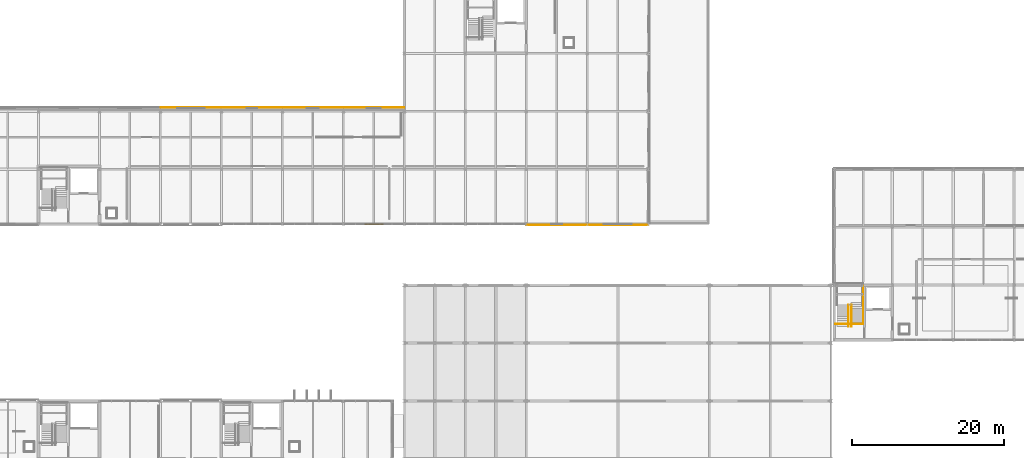
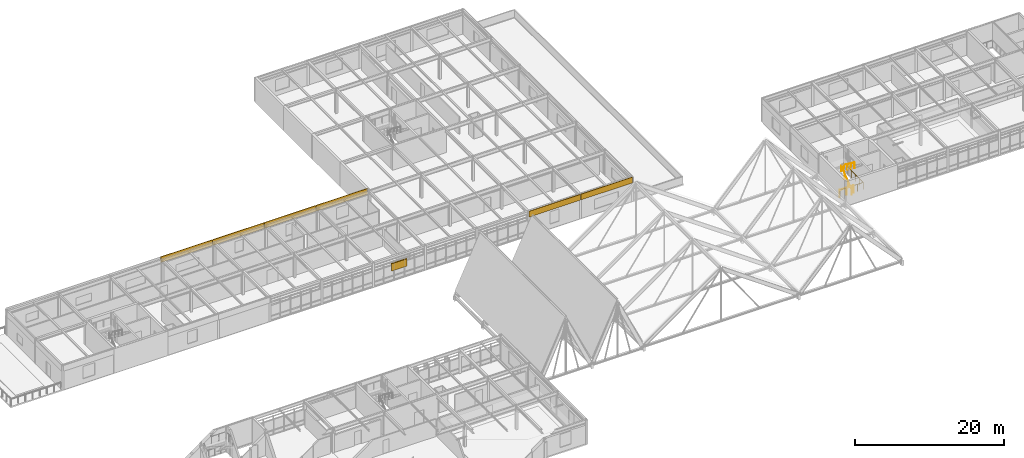
# One storey, part 82 of 85: 6 coverings, 4 railings, 1 shading device.
"""IFC4 building model written with IfcOpenShell, lengths in metres."""

from ifc_helpers import new_model, si_unit, direction, frame, origin, origin_2d, place, context, subcontext, project, spatial, rectangle, circle, extrude, material, layer, layer_set, type_object, element, save


model = new_model("IFC4")

# Units and contexts
model_context = context("Model", 3, precision=1e-05, world=origin(), true_north=direction((0.0, 1.0)))
body_context = subcontext(model_context, "Body", "Model", "MODEL_VIEW")
ifc_project = project(units=[si_unit("LENGTHUNIT", "METRE"), si_unit("AREAUNIT", "SQUARE_METRE"), si_unit("VOLUMEUNIT", "CUBIC_METRE"), si_unit("PLANEANGLEUNIT", "RADIAN"), si_unit("MASSUNIT", "GRAM", prefix="KILO")], contexts=[model_context])

# Site, building, storey
site_placement = place(None, origin())
site = spatial("IfcSite", under=ifc_project, at=site_placement, CompositionType="ELEMENT")
building_placement = place(site_placement, origin())
building = spatial("IfcBuilding", under=site, at=building_placement, Name="Zulena Civic Courthouse", CompositionType="ELEMENT")
storey_placement = place(building_placement, frame((0.0, 0.0, 25.199951171875)))
storey = spatial("IfcBuildingStorey", under=building, at=storey_placement, Name="L05", CompositionType="ELEMENT", Elevation=25.199951171875)

# Shading device
ifc_material_1 = material(Name="Bronze anodised thermally broken aluminium AA6063-T6", Category="aluminium")
shading_device_type = type_object("IfcShadingDeviceType", Name="AcousticStormLouvre_1", PredefinedType="JALOUSIE", material=ifc_material_1)
shading_device_placement = place(storey_placement, frame((64.0, 46.0, 1.60009765625), z_axis=(0.0, 0.0, 1.0), x_axis=(1.0, 0.0, 0.0)))
element("IfcShadingDevice", 1, at=shading_device_placement, inside=storey, type_object=shading_device_type, Name="louvre:V5:L05", PredefinedType="JALOUSIE", context=body_context, shape_type="SweptSolid", body=[
    extrude(rectangle(XDim=2.39990234375, YDim=0.14990234375, at=origin_2d()), origin(), (0.0, 0.0, 1.0), 1.199951171875),
])

# Railings
ifc_material_2 = material(Name="Brushed architectural steel ASTM A36", Category="steel")
railing_type_1 = type_object("IfcRailingType", Name="InteriorGuardrail_1150", PredefinedType="GUARDRAIL", material=ifc_material_2)
railing_1_placement = place(storey_placement, frame((128.199951171875, 38.219970703125, 0.0)))
element("IfcRailing", 2, at=railing_1_placement, inside=storey, type_object=railing_type_1, Name="gr:topwell:K3A:L04", PredefinedType="GUARDRAIL", context=body_context, shape_type="SweptSolid", body=[
    extrude(circle(Radius=0.02392578125, at=origin_2d()), frame((0.0, -0.00390625, 1.1259765625), z_axis=(0.0, -1.0, 0.0), x_axis=(1.0, 0.0, 0.0)), (0.0, 0.0, 1.0), 5.33203125),
    extrude(circle(Radius=0.02392578125, at=origin_2d()), frame((-0.00390625, -5.340087890625, 1.1259765625), z_axis=(-1.0, 0.0, 0.0), x_axis=(0.0, -1.0, 0.0)), (0.0, 0.0, 1.0), 3.61181640625),
    extrude(circle(Radius=0.02099609375, at=origin_2d()), origin(), (0.0, 0.0, 1.0), 1.097900390625),
    extrude(circle(Radius=0.02099609375, at=origin_2d()), frame((0.0, -1.068115234375, 0.0)), (0.0, 0.0, 1.0), 1.097900390625),
    extrude(circle(Radius=0.02099609375, at=origin_2d()), frame((0.0, -2.135986328125, 0.0)), (0.0, 0.0, 1.0), 1.097900390625),
    extrude(circle(Radius=0.02099609375, at=origin_2d()), frame((0.0, -3.2041015625, 0.0)), (0.0, 0.0, 1.0), 1.097900390625),
    extrude(circle(Radius=0.02099609375, at=origin_2d()), frame((0.0, -4.27197265625, 0.0)), (0.0, 0.0, 1.0), 1.097900390625),
    extrude(circle(Radius=0.02099609375, at=origin_2d()), frame((0.0, -5.340087890625, 0.0)), (0.0, 0.0, 1.0), 1.097900390625),
    extrude(circle(Radius=0.02099609375, at=origin_2d()), frame((-0.905029296875, -5.340087890625, 0.0)), (0.0, 0.0, 1.0), 1.097900390625),
    extrude(circle(Radius=0.02099609375, at=origin_2d()), frame((-1.81005859375, -5.340087890625, 0.0)), (0.0, 0.0, 1.0), 1.097900390625),
    extrude(circle(Radius=0.02099609375, at=origin_2d()), frame((-2.71484375, -5.340087890625, 0.0)), (0.0, 0.0, 1.0), 1.097900390625),
    extrude(circle(Radius=0.02099609375, at=origin_2d()), frame((-3.619873046875, -5.340087890625, 0.0)), (0.0, 0.0, 1.0), 1.097900390625),
])
railing_2_placement = place(storey_placement, frame((124.580078125, 32.89990234375, 0.0)))
element("IfcRailing", 3, at=railing_2_placement, inside=storey, type_object=railing_type_1, Name="gr:wells:K3A:L05", PredefinedType="GUARDRAIL", context=body_context, shape_type="SweptSolid", body=[
    extrude(circle(Radius=0.02392578125, at=origin_2d()), frame((0.00390625, 0.0, 1.1259765625), z_axis=(1.0, 0.0, 0.0), x_axis=(0.0, 1.0, 0.0)), (0.0, 0.0, 1.0), 2.11181640625),
    extrude(circle(Radius=0.02099609375, at=origin_2d()), origin(), (0.0, 0.0, 1.0), 1.097900390625),
    extrude(circle(Radius=0.02099609375, at=origin_2d()), frame((1.06005859375, 0.0, 0.0)), (0.0, 0.0, 1.0), 1.097900390625),
    extrude(circle(Radius=0.02099609375, at=origin_2d()), frame((2.119873046875, 0.0, 0.0)), (0.0, 0.0, 1.0), 1.097900390625),
])

# Coverings
ifc_material_3 = material(Name="White architectural precast concrete C40/50", Category="concrete")
ifc_layer = layer(ifc_material_3, 0.0849609375)
ifc_layer_set = layer_set([ifc_layer], Name="White architectural precast concrete C40/50")
covering_type = type_object("IfcCoveringType", Name="PrecastSpandrelCladding_85", PredefinedType="CLADDING", material=ifc_layer_set)
for number, where, z_axis, x_axis, name in (
    (4, (40.0, 61.320068359375, 3.06005859375), (0.0, 0.0, 1.0), (1.0, 0.0, 0.0), "clad:sp:V5:L05:1:3"),
    (5, (48.0, 61.320068359375, 3.06005859375), (0.0, 0.0, 1.0), (1.0, 0.0, 0.0), "clad:sp:V5:L05:1:4"),
    (6, (56.0, 61.320068359375, 3.06005859375), (0.0, 0.0, 1.0), (1.0, 0.0, 0.0), "clad:sp:V5:L05:1:5"),
    (7, (64.0, 61.320068359375, 3.06005859375), (0.0, 0.0, 1.0), (1.0, 0.0, 0.0), "clad:sp:V5:L05:1:6"),
    (8, (96.0, 45.8798828125, 3.06005859375), (0.0, 0.0, 1.0), (-1.0, 0.0, 0.0), "clad:sp:V5:L05:5:0"),
    (9, (88.0, 45.8798828125, 3.06005859375), (0.0, 0.0, 1.0), (-1.0, 0.0, 0.0), "clad:sp:V5:L05:5:1"),
):
    element("IfcCovering", number, at=place(storey_placement, frame(where, z_axis=z_axis, x_axis=x_axis)), inside=storey, type_object=covering_type, Name=name, PredefinedType="CLADDING", context=body_context, shape_type="SweptSolid", body=[
        extrude(rectangle(XDim=7.9599609375, YDim=0.0849609375, at=origin_2d()), origin(), (0.0, 0.0, 1.0), 0.93994140625),
    ])

# Railings
railing_type_2 = type_object("IfcRailingType", Name="StairHandrail_920", PredefinedType="HANDRAIL", material=ifc_material_2)
railing_3_placement = place(storey_placement, frame((126.25, 32.580078125, 0.0)))
element("IfcRailing", 10, at=railing_3_placement, inside=storey, type_object=railing_type_2, Name="hr:K3A:L05:1", PredefinedType="HANDRAIL", context=body_context, shape_type="SweptSolid", body=[
    extrude(circle(Radius=0.02392578125, at=origin_2d()), frame((0.0, 0.003173828125, 0.898193359375), z_axis=(0.0, 0.800442962515, 0.599408928663), x_axis=(-1.0, 0.0, 0.0)), (0.0, 0.0, 1.0), 3.49560546875),
    extrude(circle(Radius=0.02099609375, at=origin_2d()), origin(), (0.0, 0.0, 1.0), 0.867919921875),
    extrude(circle(Radius=0.02099609375, at=origin_2d()), frame((0.0, 0.934814453125, 0.699951171875)), (0.0, 0.0, 1.0), 0.867919921875),
    extrude(circle(Radius=0.02099609375, at=origin_2d()), frame((0.0, 1.86962890625, 1.400146484375)), (0.0, 0.0, 1.0), 0.867919921875),
    extrude(circle(Radius=0.02099609375, at=origin_2d()), frame((0.0, 2.804443359375, 2.10009765625)), (0.0, 0.0, 1.0), 0.867919921875),
])
railing_4_placement = place(storey_placement, frame((126.64990234375, 35.384521484375, 2.10009765625)))
element("IfcRailing", 11, at=railing_4_placement, inside=storey, type_object=railing_type_2, Name="hr:K3A:L05:2", PredefinedType="HANDRAIL", context=body_context, shape_type="SweptSolid", body=[
    extrude(circle(Radius=0.02392578125, at=origin_2d()), frame((0.0, -0.003173828125, 0.898193359375), z_axis=(0.0, -0.800476395821, 0.59936427966), x_axis=(1.0, 0.0, 0.0)), (0.0, 0.0, 1.0), 3.49560546875),
    extrude(circle(Radius=0.02099609375, at=origin_2d()), origin(), (0.0, 0.0, 1.0), 0.867919921875),
    extrude(circle(Radius=0.02099609375, at=origin_2d()), frame((0.0, -0.934814453125, 0.699951171875)), (0.0, 0.0, 1.0), 0.867919921875),
    extrude(circle(Radius=0.02099609375, at=origin_2d()), frame((0.0, -1.86962890625, 1.39990234375)), (0.0, 0.0, 1.0), 0.867919921875),
    extrude(circle(Radius=0.02099609375, at=origin_2d()), frame((0.0, -2.804443359375, 2.099853515625)), (0.0, 0.0, 1.0), 0.867919921875),
])

save(model, "model.ifc")
